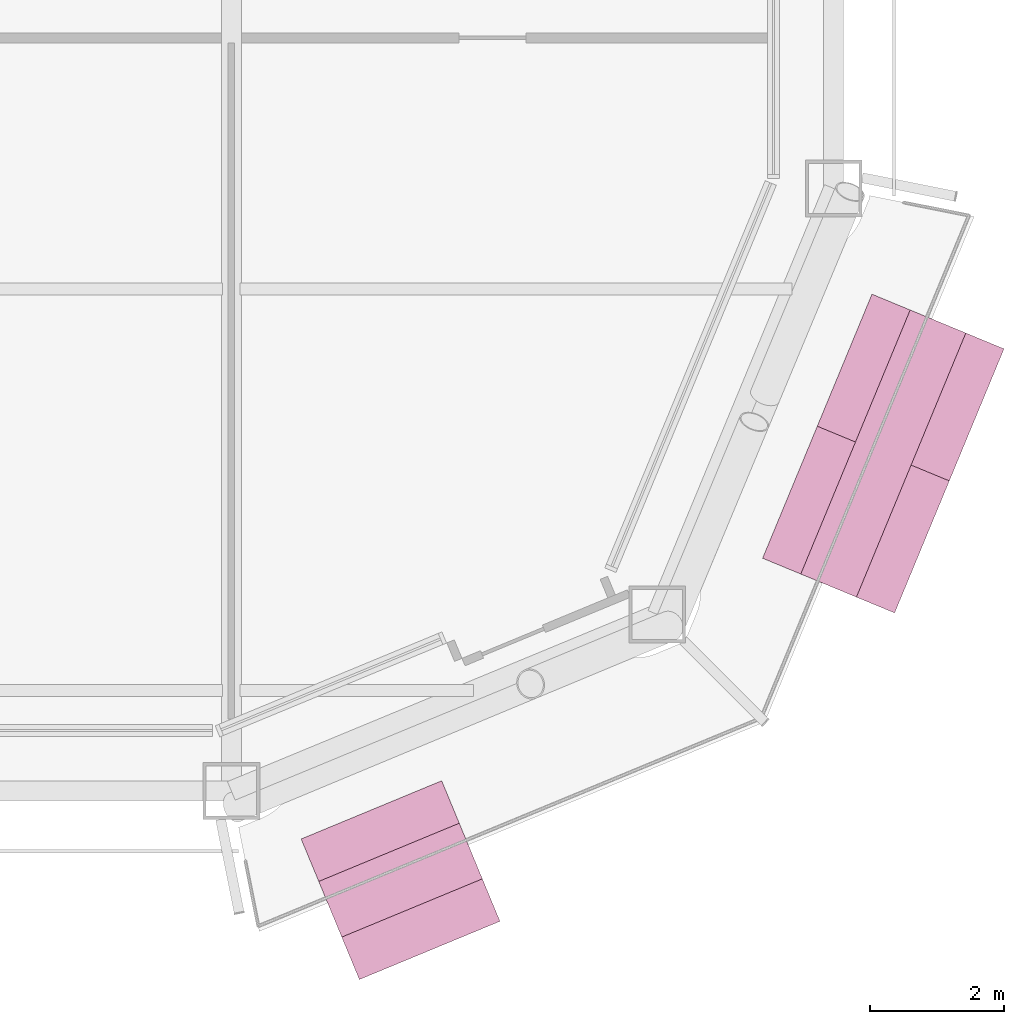
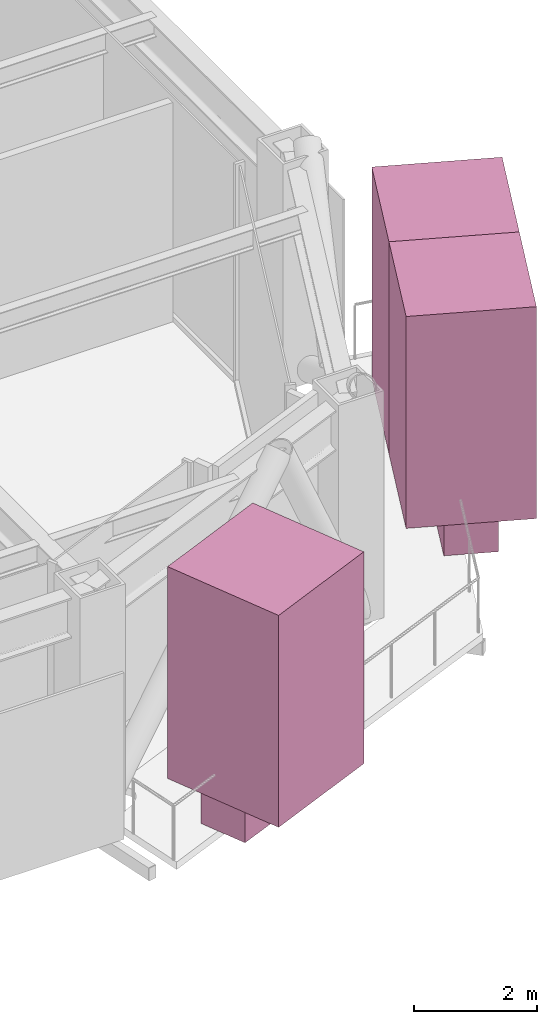
# One storey, part 22 of 22: 5 furnishings.
"""IFC4 building model written with IfcOpenShell, lengths in metres."""

from ifc_helpers import new_model, si_unit, direction, frame, origin, origin_2d, place, context, subcontext, project, spatial, rectangle, extrude, material, type_object, element, save


model = new_model("IFC4")

# Units and contexts
model_context = context("Model", 3, precision=1e-05, world=origin(), true_north=direction((0.0, 1.0)))
body_context = subcontext(model_context, "Body", "Model", "MODEL_VIEW")
ifc_project = project(units=[si_unit("LENGTHUNIT", "METRE"), si_unit("AREAUNIT", "SQUARE_METRE"), si_unit("VOLUMEUNIT", "CUBIC_METRE"), si_unit("PLANEANGLEUNIT", "RADIAN"), si_unit("MASSUNIT", "GRAM", prefix="KILO")], contexts=[model_context])

# Site, building, storey
site_placement = place(None, origin())
site = spatial("IfcSite", under=ifc_project, at=site_placement, CompositionType="ELEMENT")
building_placement = place(site_placement, origin())
building = spatial("IfcBuilding", under=site, at=building_placement, Name="Siwar Civic Tower", CompositionType="ELEMENT")
storey_placement = place(building_placement, frame((0.0, 0.0, 219.699951171875)))
storey = spatial("IfcBuildingStorey", under=building, at=storey_placement, Name="L47", CompositionType="ELEMENT", Elevation=219.699951171875)

# Furnishings
ifc_material_1 = material(Name="Planting soil and foliage")
furnishing_element_type_1 = type_object("IfcFurnishingElementType", Name="ENV-PLANTER", material=ifc_material_1)
furnishing_1_placement = place(storey_placement, frame((20.5283203125, -28.333984375, 0.0), z_axis=(0.0, 0.0, 1.0), x_axis=(0.923879532511, 0.382683432365, 0.0)))
element("IfcFurnishingElement", 1, at=furnishing_1_placement, inside=storey, type_object=furnishing_element_type_1, Name="PLANTER SE 1", context=body_context, shape_type="SweptSolid", body=[
    extrude(rectangle(XDim=2.273193359375, YDim=0.89990234375, at=origin_2d()), origin(), (0.0, 0.0, 1.0), 0.60009765625),
])
furnishing_2_placement = place(storey_placement, frame((27.740966796875, -21.960205078125, 0.0), z_axis=(0.0, 0.0, 1.0), x_axis=(0.382683432365, 0.923879532511, 0.0)))
element("IfcFurnishingElement", 2, at=furnishing_2_placement, inside=storey, type_object=furnishing_element_type_1, Name="PLANTER SE 2", context=body_context, shape_type="SweptSolid", body=[
    extrude(rectangle(XDim=4.270751953125, YDim=0.89990234375, at=origin_2d()), origin(), (0.0, 0.0, 1.0), 0.60009765625),
])
ifc_material_2 = material(Name="Planting soil and foliage")
furnishing_element_type_2 = type_object("IfcFurnishingElementType", Name="ENV-TREE", material=ifc_material_2)
furnishing_3_placement = place(storey_placement, frame((20.5283203125, -28.333984375, 0.60009765625), z_axis=(0.0, 0.0, 1.0), x_axis=(0.923879532511, 0.382683432365, 0.0)))
element("IfcFurnishingElement", 3, at=furnishing_3_placement, inside=storey, type_object=furnishing_element_type_2, Name="PLANTER (TREE) SE 1.1", context=body_context, shape_type="SweptSolid", body=[
    extrude(rectangle(XDim=2.273193359375, YDim=2.273193359375, at=origin_2d()), origin(), (0.0, 0.0, 1.0), 4.199951171875),
])
for number, where, z_axis, x_axis, name in (
    (4, (27.332275390625, -22.94677734375, 0.60009765625), (0.0, 0.0, 1.0), (0.382683432365, 0.923879532511, 0.0), "PLANTER (TREE) SE 2.1"),
    (5, (28.1494140625, -20.973876953125, 0.60009765625), (0.0, 0.0, 1.0), (0.382683432365, 0.923879532511, 0.0), "PLANTER (TREE) SE 2.2"),
):
    element("IfcFurnishingElement", number, at=place(storey_placement, frame(where, z_axis=z_axis, x_axis=x_axis)), inside=storey, type_object=furnishing_element_type_2, Name=name, context=body_context, shape_type="SweptSolid", body=[
        extrude(rectangle(XDim=2.13525390625, YDim=2.13525390625, at=origin_2d()), origin(), (0.0, 0.0, 1.0), 4.199951171875),
    ])

save(model, "model.ifc")
